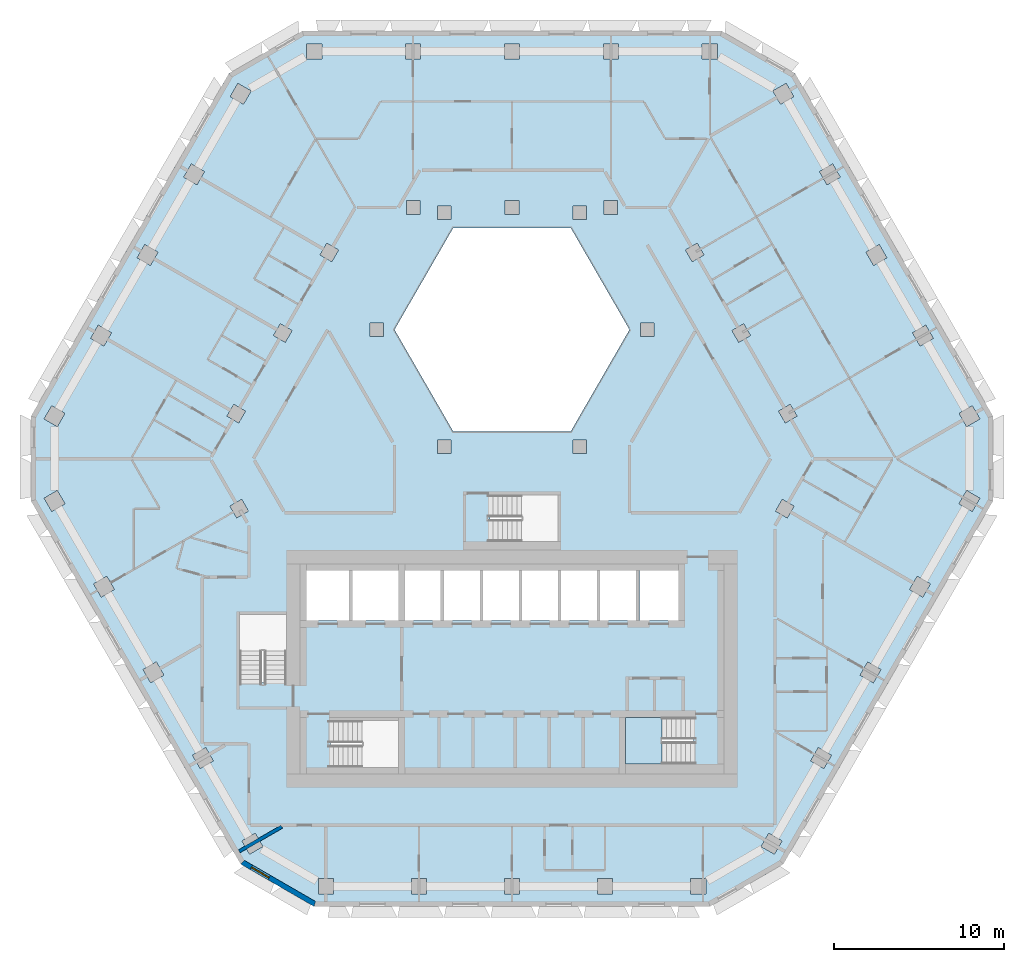
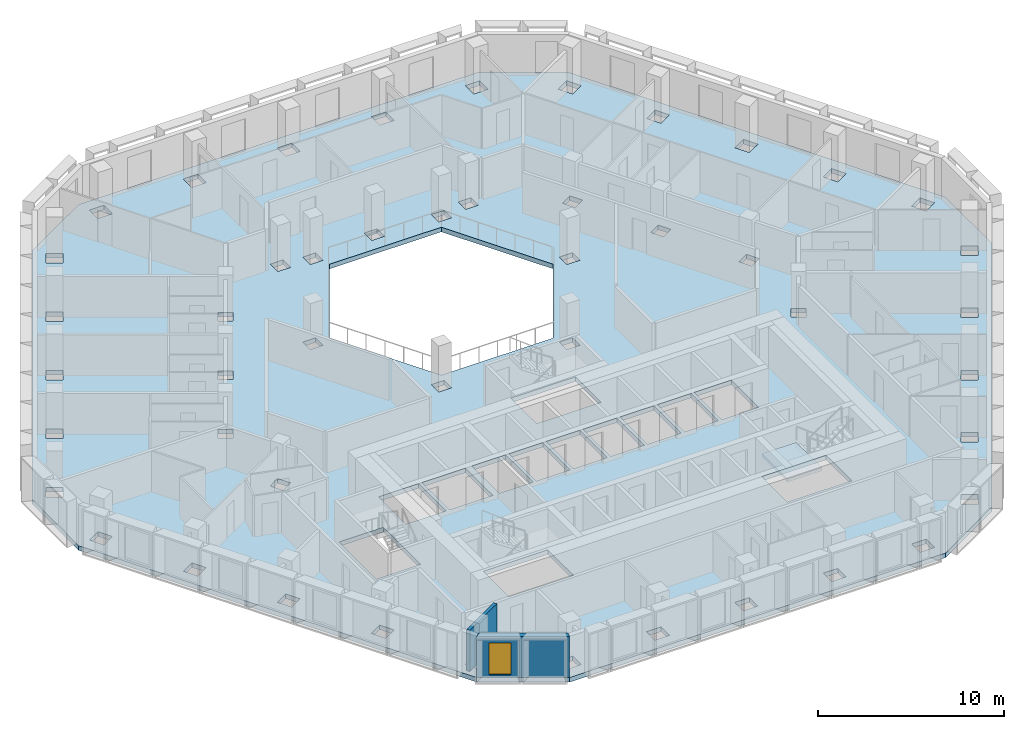
# One storey, part 2 of 15: 2 slabs, 2 walls, 1 window, 1 opening, 1 element without a shape of its own.
"""IFC4 building model written with IfcOpenShell, lengths in metres."""

from ifc_helpers import new_model, si_unit, direction, frame, frame_2d, origin, place, context, subcontext, project, spatial, polyline, rectangle, outline, extrude, material, layer, layer_set, type_object, element, fill, aggregate, save


model = new_model("IFC4")

# Units and contexts
model_context = context("Model", 3, precision=1e-05, world=origin(), true_north=direction((0.0, 1.0)))
body_context = subcontext(model_context, "Body", "Model", "MODEL_VIEW")
ifc_project = project(units=[si_unit("LENGTHUNIT", "METRE"), si_unit("AREAUNIT", "SQUARE_METRE"), si_unit("VOLUMEUNIT", "CUBIC_METRE"), si_unit("PLANEANGLEUNIT", "RADIAN"), si_unit("MASSUNIT", "GRAM", prefix="KILO")], contexts=[model_context])

# Site, building, storey
site_placement = place(None, origin())
site = spatial("IfcSite", under=ifc_project, at=site_placement, CompositionType="ELEMENT")
building_placement = place(site_placement, origin())
building = spatial("IfcBuilding", under=site, at=building_placement, Name="Beryl Residences", CompositionType="ELEMENT")
storey_placement = place(building_placement, frame((0.0, 0.0, 141.60009765625)))
storey = spatial("IfcBuildingStorey", under=building, at=storey_placement, Name="L43", CompositionType="ELEMENT", Elevation=141.60009765625)

# Slab
ifc_material_1 = material(Name="Concrete C40/50", Category="concrete")
ifc_layer_1 = layer(ifc_material_1, 0.300048828125)
ifc_layer_set_1 = layer_set([ifc_layer_1], Name="SL7 PT floor slab 300 mm C40/50")
slab_type_1 = type_object("IfcSlabType", Name="SL7 PT floor slab 300 mm C40/50", PredefinedType="FLOOR", material=ifc_layer_set_1)
slab_1_placement = place(storey_placement, frame((0.0, 0.0, -0.300048828125)))
element("IfcSlab", 1, at=slab_1_placement, inside=storey, type_object=slab_type_1, Name="L43 slab 1", PredefinedType="FLOOR", context=body_context, shape_type="SweptSolid", body=[
    extrude(outline(polyline([(28.347900390625, -2.10009765625), (15.991943359375, -23.5), (11.662109375, -26.0), (-11.662109375, -26.0), (-15.991943359375, -23.5), (-28.347900390625, -2.10009765625), (-28.347900390625, 2.89990234375), (-16.68505859375, 23.10009765625), (-12.35498046875, 25.60009765625), (12.35498046875, 25.60009765625), (16.68505859375, 23.10009765625), (28.347900390625, 2.89990234375), (28.347900390625, -2.10009765625)]), holes=[polyline([(27.1279296875, 3.514892578125), (26.347900390625, 3.06494140625), (26.798095703125, 2.284912109375), (27.577880859375, 2.735107421875), (27.1279296875, 3.514892578125)]), polyline([(26.7958984375, -1.486083984375), (26.345947265625, -2.26611328125), (27.1259765625, -2.716064453125), (27.575927734375, -1.93603515625), (26.7958984375, -1.486083984375)]), polyline([(23.60498046875, 7.81494140625), (24.054931640625, 7.034912109375), (24.8349609375, 7.485107421875), (24.385009765625, 8.264892578125), (23.60498046875, 7.81494140625)]), polyline([(24.660888671875, -6.986083984375), (23.881103515625, -6.535888671875), (23.430908203125, -7.31591796875), (24.2109375, -7.76611328125), (24.660888671875, -6.986083984375)]), polyline([(21.64306640625, 13.014892578125), (20.863037109375, 12.56494140625), (21.31298828125, 11.784912109375), (22.093017578125, 12.235107421875), (21.64306640625, 13.014892578125)]), polyline([(20.965087890625, -11.5859375), (20.514892578125, -12.365966796875), (21.294921875, -12.81591796875), (21.7451171875, -12.035888671875), (20.965087890625, -11.5859375)]), polyline([(18.1201171875, 17.31494140625), (18.570068359375, 16.534912109375), (19.35009765625, 16.985107421875), (18.89990234375, 17.764892578125), (18.1201171875, 17.31494140625)]), polyline([(18.830078125, -17.0859375), (18.050048828125, -16.635986328125), (17.60009765625, -17.416015625), (18.3798828125, -17.865966796875), (18.830078125, -17.0859375)]), polyline([(16.39892578125, 3.595947265625), (15.70703125, 3.196044921875), (16.10693359375, 2.50390625), (16.799072265625, 2.904052734375), (16.39892578125, 3.595947265625)]), polyline([(16.6240234375, -2.405029296875), (15.931884765625, -2.0048828125), (15.531982421875, -2.697021484375), (16.22412109375, -3.096923828125), (16.6240234375, -2.405029296875)]), polyline([(16.157958984375, 22.514892578125), (15.3779296875, 22.06494140625), (15.827880859375, 21.284912109375), (16.60791015625, 21.735107421875), (16.157958984375, 22.514892578125)]), polyline([(15.9140625, -22.135009765625), (15.134033203125, -21.68505859375), (14.68408203125, -22.465087890625), (15.464111328125, -22.9150390625), (15.9140625, -22.135009765625)]), polyline([(13.656005859375, 8.345947265625), (12.964111328125, 7.946044921875), (13.364013671875, 7.25390625), (14.055908203125, 7.654052734375), (13.656005859375, 8.345947265625)]), polyline([(11.2119140625, 24.85009765625), (11.2119140625, 23.949951171875), (12.112060546875, 23.949951171875), (12.112060546875, 24.85009765625), (11.2119140625, 24.85009765625)]), polyline([(11.4208984375, -24.35009765625), (10.52099609375, -24.35009765625), (10.52099609375, -25.25), (11.4208984375, -25.25), (11.4208984375, -24.35009765625)]), polyline([(10.221923828125, 12.696044921875), (10.6220703125, 12.00390625), (11.31396484375, 12.404052734375), (10.9140625, 13.095947265625), (10.221923828125, 12.696044921875)]), polyline([(6.699951171875, -14.85009765625), (6.699951171875, -17.60009765625), (10.699951171875, -17.60009765625), (10.699951171875, -14.85009765625), (6.699951171875, -14.85009765625)]), polyline([(7.5, -9.14990234375), (9.800048828125, -9.14990234375), (9.800048828125, -6.199951171875), (7.5, -6.199951171875), (7.5, -9.14990234375)]), polyline([(8.366943359375, 7.60009765625), (8.366943359375, 8.39990234375), (7.56689453125, 8.39990234375), (7.56689453125, 7.60009765625), (8.366943359375, 7.60009765625)]), polyline([(7.300048828125, -9.14990234375), (7.300048828125, -6.199951171875), (5.199951171875, -6.199951171875), (5.199951171875, -9.14990234375), (7.300048828125, -9.14990234375)]), polyline([(3.464111328125, 14.0), (-3.464111328125, 14.0), (-6.92822265625, 8.0), (-3.464111328125, 2.0), (3.464111328125, 2.0), (6.92822265625, 8.0), (3.464111328125, 14.0)]), polyline([(5.381103515625, 24.85009765625), (5.381103515625, 23.949951171875), (6.281005859375, 23.949951171875), (6.281005859375, 24.85009765625), (5.381103515625, 24.85009765625)]), polyline([(5.430908203125, 15.60009765625), (5.430908203125, 14.800048828125), (6.23095703125, 14.800048828125), (6.23095703125, 15.60009765625), (5.430908203125, 15.60009765625)]), polyline([(5.93603515625, -25.25), (5.93603515625, -24.35009765625), (5.035888671875, -24.35009765625), (5.035888671875, -25.25), (5.93603515625, -25.25)]), polyline([(2.89990234375, -9.14990234375), (5.0, -9.14990234375), (5.0, -6.199951171875), (2.89990234375, -6.199951171875), (2.89990234375, -9.14990234375)]), polyline([(4.384033203125, 14.5), (4.384033203125, 15.300048828125), (3.583984375, 15.300048828125), (3.583984375, 14.5), (4.384033203125, 14.5)]), polyline([(3.583984375, 1.5), (3.583984375, 0.699951171875), (4.384033203125, 0.699951171875), (4.384033203125, 1.5), (3.583984375, 1.5)]), polyline([(2.699951171875, -4.5), (2.699951171875, -1.75), (-1.300048828125, -1.75), (-1.300048828125, -4.5), (2.699951171875, -4.5)]), polyline([(0.60009765625, -9.14990234375), (2.699951171875, -9.14990234375), (2.699951171875, -6.199951171875), (0.60009765625, -6.199951171875), (0.60009765625, -9.14990234375)]), polyline([(0.450927734375, -24.35009765625), (-0.448974609375, -24.35009765625), (-0.448974609375, -25.25), (0.450927734375, -25.25), (0.450927734375, -24.35009765625)]), polyline([(-0.449951171875, 24.85009765625), (-0.449951171875, 23.949951171875), (0.449951171875, 23.949951171875), (0.449951171875, 24.85009765625), (-0.449951171875, 24.85009765625)]), polyline([(0.39990234375, -6.199951171875), (-1.699951171875, -6.199951171875), (-1.699951171875, -9.14990234375), (0.39990234375, -9.14990234375), (0.39990234375, -6.199951171875)]), polyline([(-0.39990234375, 15.60009765625), (-0.39990234375, 14.800048828125), (0.39990234375, 14.800048828125), (0.39990234375, 15.60009765625), (-0.39990234375, 15.60009765625)]), polyline([(-4.0, -9.14990234375), (-1.89990234375, -9.14990234375), (-1.89990234375, -6.199951171875), (-4.0, -6.199951171875), (-4.0, -9.14990234375)]), polyline([(-3.583984375, 14.5), (-3.583984375, 15.300048828125), (-4.384033203125, 15.300048828125), (-4.384033203125, 14.5), (-3.583984375, 14.5)]), polyline([(-3.583984375, 0.699951171875), (-3.583984375, 1.5), (-4.384033203125, 1.5), (-4.384033203125, 0.699951171875), (-3.583984375, 0.699951171875)]), polyline([(-6.300048828125, -9.14990234375), (-4.199951171875, -9.14990234375), (-4.199951171875, -6.199951171875), (-6.300048828125, -6.199951171875), (-6.300048828125, -9.14990234375)]), polyline([(-5.033935546875, -25.25), (-5.033935546875, -24.35009765625), (-5.93408203125, -24.35009765625), (-5.93408203125, -25.25), (-5.033935546875, -25.25)]), polyline([(-6.281005859375, 23.949951171875), (-5.381103515625, 23.949951171875), (-5.381103515625, 24.85009765625), (-6.281005859375, 24.85009765625), (-6.281005859375, 23.949951171875)]), polyline([(-6.23095703125, 14.800048828125), (-5.430908203125, 14.800048828125), (-5.430908203125, 15.60009765625), (-6.23095703125, 15.60009765625), (-6.23095703125, 14.800048828125)]), polyline([(-6.699951171875, -6.199951171875), (-9.39990234375, -6.199951171875), (-9.39990234375, -9.14990234375), (-6.699951171875, -9.14990234375), (-6.699951171875, -6.199951171875)]), polyline([(-10.699951171875, -15.050048828125), (-10.699951171875, -17.800048828125), (-6.699951171875, -17.800048828125), (-6.699951171875, -15.050048828125), (-10.699951171875, -15.050048828125)]), polyline([(-7.56689453125, 7.60009765625), (-7.56689453125, 8.39990234375), (-8.366943359375, 8.39990234375), (-8.366943359375, 7.60009765625), (-7.56689453125, 7.60009765625)]), polyline([(-12.10009765625, -9.14990234375), (-9.60009765625, -9.14990234375), (-9.60009765625, -6.199951171875), (-12.10009765625, -6.199951171875), (-12.10009765625, -9.14990234375)]), polyline([(-11.31396484375, 12.404052734375), (-10.6220703125, 12.00390625), (-10.221923828125, 12.696044921875), (-10.9140625, 13.095947265625), (-11.31396484375, 12.404052734375)]), polyline([(-11.4189453125, -24.35009765625), (-11.4189453125, -25.25), (-10.51904296875, -25.25), (-10.51904296875, -24.35009765625), (-11.4189453125, -24.35009765625)]), polyline([(-12.112060546875, 24.85009765625), (-12.112060546875, 23.949951171875), (-11.2119140625, 23.949951171875), (-11.2119140625, 24.85009765625), (-12.112060546875, 24.85009765625)]), polyline([(-14.055908203125, 7.654052734375), (-13.364013671875, 7.25390625), (-12.964111328125, 7.946044921875), (-13.656005859375, 8.345947265625), (-14.055908203125, 7.654052734375)]), polyline([(-13.300048828125, -8.800048828125), (-16.050048828125, -8.800048828125), (-16.050048828125, -12.800048828125), (-13.300048828125, -12.800048828125), (-13.300048828125, -8.800048828125)]), polyline([(-14.68505859375, -22.464111328125), (-15.135009765625, -21.68408203125), (-15.9150390625, -22.134033203125), (-15.465087890625, -22.9140625), (-14.68505859375, -22.464111328125)]), polyline([(-15.827880859375, 21.284912109375), (-15.3779296875, 22.06494140625), (-16.157958984375, 22.514892578125), (-16.60791015625, 21.735107421875), (-15.827880859375, 21.284912109375)]), polyline([(-15.532958984375, -2.695068359375), (-15.93310546875, -2.0029296875), (-16.625, -2.403076171875), (-16.22509765625, -3.094970703125), (-15.532958984375, -2.695068359375)]), polyline([(-16.10693359375, 2.50390625), (-15.70703125, 3.196044921875), (-16.39892578125, 3.595947265625), (-16.799072265625, 2.904052734375), (-16.10693359375, 2.50390625)]), polyline([(-17.60107421875, -17.4140625), (-18.051025390625, -16.634033203125), (-18.8310546875, -17.083984375), (-18.381103515625, -17.864013671875), (-17.60107421875, -17.4140625)]), polyline([(-19.35009765625, 16.985107421875), (-18.570068359375, 16.534912109375), (-18.1201171875, 17.31494140625), (-18.89990234375, 17.764892578125), (-19.35009765625, 16.985107421875)]), polyline([(-21.2958984375, -12.81396484375), (-20.51611328125, -12.364013671875), (-20.966064453125, -11.583984375), (-21.74609375, -12.033935546875), (-21.2958984375, -12.81396484375)]), polyline([(-20.863037109375, 12.56494140625), (-21.64306640625, 13.014892578125), (-22.093017578125, 12.235107421875), (-21.31298828125, 11.784912109375), (-20.863037109375, 12.56494140625)]), polyline([(-24.2119140625, -7.763916015625), (-23.431884765625, -7.31396484375), (-23.882080078125, -6.533935546875), (-24.662109375, -6.98388671875), (-24.2119140625, -7.763916015625)]), polyline([(-24.8349609375, 7.485107421875), (-24.054931640625, 7.034912109375), (-23.60498046875, 7.81494140625), (-24.385009765625, 8.264892578125), (-24.8349609375, 7.485107421875)]), polyline([(-27.126953125, -2.715087890625), (-26.346923828125, -2.264892578125), (-26.797119140625, -1.485107421875), (-27.576904296875, -1.93505859375), (-27.126953125, -2.715087890625)]), polyline([(-27.577880859375, 2.735107421875), (-26.798095703125, 2.284912109375), (-26.347900390625, 3.06494140625), (-27.1279296875, 3.514892578125), (-27.577880859375, 2.735107421875)])]), origin(), (0.0, 0.0, 1.0), 0.300048828125),
])

# Stair, slab
ifc_material_2 = material(Name="Concrete C40/50", Category="concrete")
stair_type = type_object("IfcStairType", Name="ST1 protected exit stair, half-turn, 1300 mm flights", PredefinedType="HALF_TURN_STAIR", material=ifc_material_2)
stair_placement = place(storey_placement, origin())
stair = element("IfcStair", 2, at=stair_placement, inside=storey, type_object=stair_type, Name="L43 PROTECTED EXIT STAIR ST-3", PredefinedType="HALF_TURN_STAIR")
ifc_material_3 = material(Name="Concrete C40/50", Category="concrete")
ifc_layer_2 = layer(ifc_material_3, 0.199951171875)
ifc_layer_set_2 = layer_set([ifc_layer_2], Name="SLD1 stair landing 200 mm")
slab_type_2 = type_object("IfcSlabType", Name="SLD1 stair landing 200 mm", PredefinedType="LANDING", material=ifc_layer_set_2)
slab_2_placement = place(storey_placement, frame((0.0, 0.0, 1.2998046875)))
slab_2 = element("IfcSlab", 3, at=slab_2_placement, type_object=slab_type_2, Name="ST-3 landing 1", PredefinedType="LANDING", context=body_context, shape_type="SweptSolid", body=[
    extrude(outline(polyline([(8.840087890625, -14.85009765625), (6.699951171875, -14.85009765625), (6.699951171875, -17.60009765625), (8.840087890625, -17.60009765625), (8.840087890625, -14.85009765625)])), origin(), (0.0, 0.0, 1.0), 0.2001953125),
])
aggregate(stair, [slab_2])

# Wall, opening, window
ifc_material_4 = material(Name="Composite metal panel with mineral wool insulation")
ifc_layer_3 = layer(ifc_material_4, 0.300048828125)
ifc_layer_set_3 = layer_set([ifc_layer_3], Name="ES1 pale metal composite panel wall 300 mm")
wall_type_1 = type_object("IfcWallType", Name="ES1 pale metal composite panel wall 300 mm", PredefinedType="SOLIDWALL", material=ifc_layer_set_3)
wall_1_placement = place(storey_placement, frame((-15.9169921875, -23.3701171875, 0.0), z_axis=(0.0, 0.0, 1.0), x_axis=(0.866022959057, -0.500004234368, 0.0)))
wall_1 = element("IfcWall", 4, at=wall_1_placement, inside=storey, type_object=wall_type_1, Name="ES1 external wall L43 SW-S", PredefinedType="SOLIDWALL", context=body_context, shape_type="SweptSolid", body=[
    extrude(outline(polyline([(0.0, -0.14990234375), (5.0, -0.14990234375), (4.919677734375, 0.14990234375), (0.080322265625, 0.14990234375), (0.0, -0.14990234375)])), origin(), (0.0, 0.0, 1.0), 2.699951171875),
])
opening_placement = place(wall_1_placement, frame((0.64990234375, 0.0, 0.14990234375)))
opening = element("IfcOpeningElement", 5, at=opening_placement, cuts=wall_1, Name="Opening W2", PredefinedType="OPENING", context=body_context, shape_type="SweptSolid", body=[
    extrude(rectangle(XDim=1.199951171875, YDim=2.10009765625, at=frame_2d((0.60009765625, 1.050048828125))), frame((0.0, 0.159912109375, 0.0), z_axis=(0.0, -1.0, 0.0), x_axis=(1.0, 0.0, 0.0)), (0.0, 0.0, 1.0), 0.320068359375),
])
ifc_material_5 = material(Name="Aluminium and clear glass", Category="aluminium")
window_type = type_object("IfcWindowType", Name="W2 chamfer window 1200 x 2100 mm", PartitioningType="SINGLE_PANEL", PredefinedType="WINDOW", material=ifc_material_5)
window_placement = place(opening_placement, origin())
window = element("IfcWindow", 6, at=window_placement, inside=storey, type_object=window_type, Name="W2 window L43 SW-S 1", OverallHeight=2.10009765625, OverallWidth=1.199951171875, PartitioningType="SINGLE_PANEL", PredefinedType="WINDOW", context=body_context, shape_type="SweptSolid", body=[
    extrude(rectangle(XDim=1.199951171875, YDim=2.10009765625, at=frame_2d((0.60009765625, 1.050048828125))), frame((0.0, 0.030029296875, 0.0), z_axis=(0.0, -1.0, 0.0), x_axis=(1.0, 0.0, 0.0)), (0.0, 0.0, 1.0), 0.06005859375),
])
fill(opening, window)

# Wall
ifc_material_6 = material(Name="Acoustic double stud gypsum board wall")
ifc_layer_4 = layer(ifc_material_6, 0.199951171875)
ifc_layer_set_4 = layer_set([ifc_layer_4], Name="PT3 party wall 200 mm acoustic double stud")
wall_type_2 = type_object("IfcWallType", Name="PT3 party wall 200 mm acoustic double stud", PredefinedType="PARTITIONING", material=ifc_layer_set_4)
wall_2_placement = place(storey_placement, frame((-16.0791015625, -22.748046875, 0.0), z_axis=(0.0, 0.0, 1.0), x_axis=(0.866114021284, 0.499846478567, 0.0)))
element("IfcWall", 7, at=wall_2_placement, inside=storey, type_object=wall_type_2, Name="Wall PT3 L43 012", PredefinedType="PARTITIONING", context=body_context, shape_type="SweptSolid", body=[
    extrude(rectangle(XDim=2.89697265625, YDim=0.199951171875, at=frame_2d((1.448486328125, 0.0))), origin(), (0.0, 0.0, 1.0), 2.699951171875),
])

save(model, "model.ifc")
